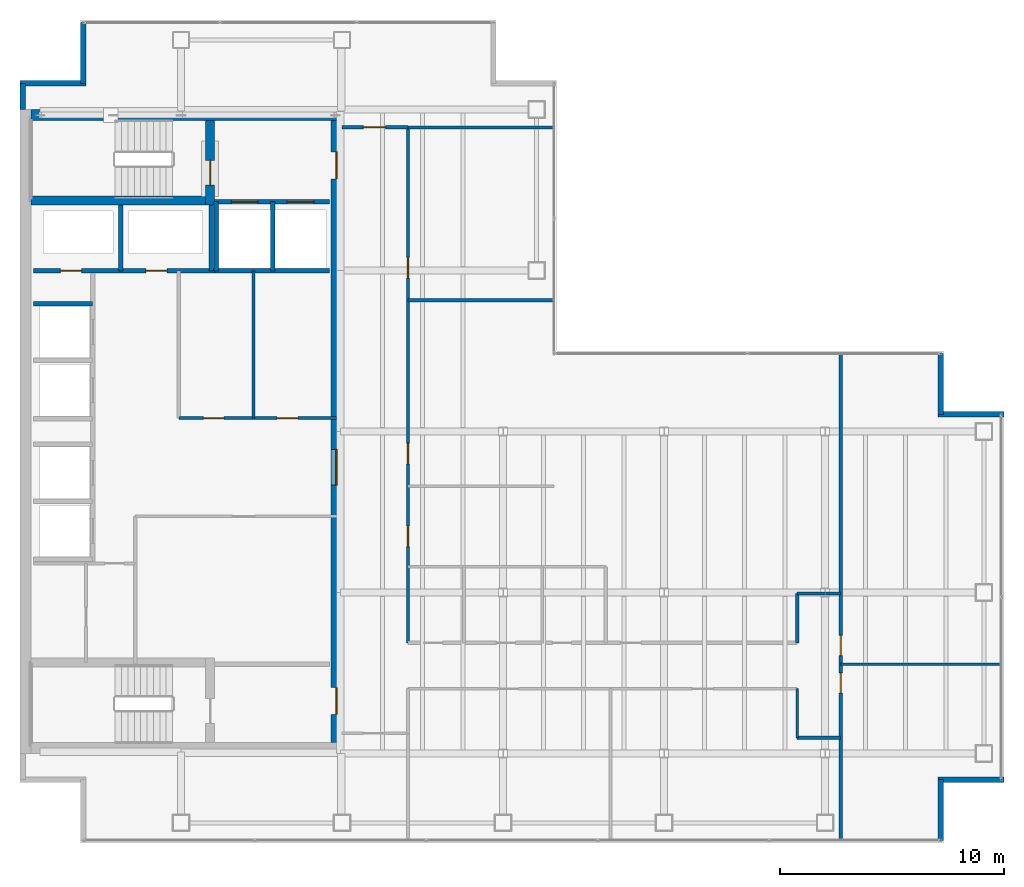
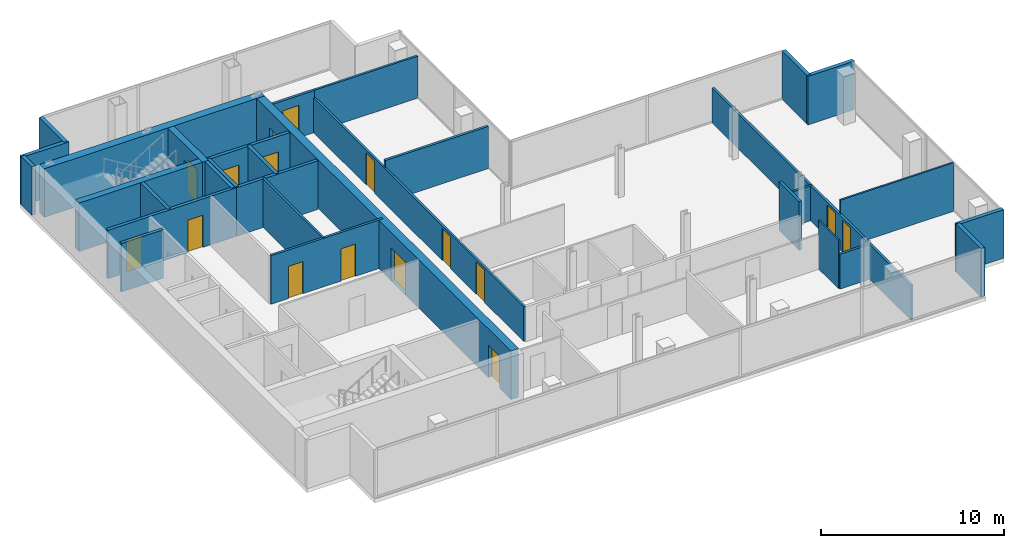
# One storey, part 21 of 23: 31 walls, 16 doors, 16 openings.
"""IFC4 building model written with IfcOpenShell, lengths in metres."""

from ifc_helpers import new_model, si_unit, direction, frame, frame_2d, origin, place, context, subcontext, project, spatial, rectangle, extrude, material, layer, layer_set, type_object, element, fill, save


model = new_model("IFC4")

# Units and contexts
model_context = context("Model", 3, precision=1e-05, world=origin(), true_north=direction((0.0, 1.0)))
body_context = subcontext(model_context, "Body", "Model", "MODEL_VIEW")
ifc_project = project(units=[si_unit("LENGTHUNIT", "METRE"), si_unit("AREAUNIT", "SQUARE_METRE"), si_unit("VOLUMEUNIT", "CUBIC_METRE"), si_unit("PLANEANGLEUNIT", "RADIAN"), si_unit("MASSUNIT", "GRAM", prefix="KILO")], contexts=[model_context])

# Site, building, storey
site_placement = place(None, origin())
site = spatial("IfcSite", under=ifc_project, at=site_placement, CompositionType="ELEMENT")
building_placement = place(site_placement, origin())
building = spatial("IfcBuilding", under=site, at=building_placement, Name="Cobrela Telecom Tower", CompositionType="ELEMENT")
storey_placement = place(building_placement, frame((0.0, 0.0, 229.25)))
storey = spatial("IfcBuildingStorey", under=building, at=storey_placement, Name="L59", CompositionType="ELEMENT", Elevation=229.25)

# Wall
ifc_material_1 = material(Name="Concrete C40/50", Category="concrete")
ifc_layer_1 = layer(ifc_material_1, 0.5)
ifc_layer_set_1 = layer_set([ifc_layer_1], Name="Concrete C40/50")
wall_type_1 = type_object("IfcWallType", Name="WALL-CORE-C40-500", PredefinedType="SHEAR", material=ifc_layer_set_1)
wall_1_placement = place(storey_placement, frame((0.5, 35.75, 0.0), z_axis=(0.0, 0.0, 1.0), x_axis=(1.0, 0.0, 0.0)))
element("IfcWall", 1, at=wall_1_placement, inside=storey, type_object=wall_type_1, Name="L59 North Core Shear Wall", PredefinedType="SHEAR", context=body_context, shape_type="SweptSolid", body=[
    extrude(rectangle(XDim=13.89990234375, YDim=0.5, at=frame_2d((6.949951171875, 0.0))), origin(), (0.0, 0.0, 1.0), 3.239990234375),
])

# Wall, openings, doors
wall_2_placement = place(storey_placement, frame((14.14990234375, 35.5, 0.0), z_axis=(0.0, 0.0, 1.0), x_axis=(0.0, -1.0, 0.0)))
wall_2 = element("IfcWall", 2, at=wall_2_placement, inside=storey, type_object=wall_type_1, Name="L59 East Core Shear Wall", PredefinedType="SHEAR", context=body_context, shape_type="SweptSolid", body=[
    extrude(rectangle(XDim=27.800048828125, YDim=0.5, at=frame_2d((13.89990234375, 0.0))), origin(), (0.0, 0.0, 1.0), 3.239990234375),
])
opening_1_placement = place(wall_2_placement, frame((1.39990234375, 0.0, 0.0)))
opening_1 = element("IfcOpeningElement", 3, at=opening_1_placement, cuts=wall_2, Name="Opening DR-19", PredefinedType="OPENING", context=body_context, shape_type="SweptSolid", body=[
    extrude(rectangle(XDim=1.199951171875, YDim=2.14990234375, at=frame_2d((0.60009765625, 1.074951171875))), frame((0.0, 0.261962890625, 0.0), z_axis=(0.0, -1.0, 0.0), x_axis=(1.0, 0.0, 0.0)), (0.0, 0.0, 1.0), 0.52392578125),
])
opening_2_placement = place(wall_2_placement, frame((25.35009765625, 0.0, 0.0)))
opening_2 = element("IfcOpeningElement", 4, at=opening_2_placement, cuts=wall_2, Name="Opening DR-19", PredefinedType="OPENING", context=body_context, shape_type="SweptSolid", body=[
    extrude(rectangle(XDim=1.199951171875, YDim=2.14990234375, at=frame_2d((0.60009765625, 1.074951171875))), frame((0.0, 0.261962890625, 0.0), z_axis=(0.0, -1.0, 0.0), x_axis=(1.0, 0.0, 0.0)), (0.0, 0.0, 1.0), 0.52392578125),
])
opening_3_placement = place(wall_2_placement, frame((14.699951171875, 0.0, 0.0)))
opening_3 = element("IfcOpeningElement", 5, at=opening_3_placement, cuts=wall_2, Name="Opening DR-51", PredefinedType="OPENING", context=body_context, shape_type="SweptSolid", body=[
    extrude(rectangle(XDim=1.60009765625, YDim=2.199951171875, at=frame_2d((0.800048828125, 1.10009765625))), frame((0.0, 0.261962890625, 0.0), z_axis=(0.0, -1.0, 0.0), x_axis=(1.0, 0.0, 0.0)), (0.0, 0.0, 1.0), 0.52392578125),
])
ifc_material_2 = material(Name="Steel ASTM A36", Category="steel")
door_type_1 = type_object("IfcDoorType", Name="DOOR-FD60-1200", OperationType="SINGLE_SWING_LEFT", PredefinedType="DOOR", material=ifc_material_2)
door_1_placement = place(opening_1_placement, origin())
door_1 = element("IfcDoor", 6, at=door_1_placement, inside=storey, type_object=door_type_1, Name="L59 Door DR-19", OperationType="SINGLE_SWING_LEFT", OverallHeight=2.14990234375, OverallWidth=1.199951171875, PredefinedType="DOOR", context=body_context, shape_type="SweptSolid", body=[
    extrude(rectangle(XDim=1.199951171875, YDim=2.14990234375, at=frame_2d((0.60009765625, 1.074951171875))), frame((0.0, 0.02490234375, 0.0), z_axis=(0.0, -1.0, 0.0), x_axis=(1.0, 0.0, 0.0)), (0.0, 0.0, 1.0), 0.050048828125),
])
fill(opening_1, door_1)
door_2_placement = place(opening_2_placement, origin())
door_2 = element("IfcDoor", 7, at=door_2_placement, inside=storey, type_object=door_type_1, Name="L59 Door DR-19", OperationType="SINGLE_SWING_RIGHT", OverallHeight=2.14990234375, OverallWidth=1.199951171875, PredefinedType="DOOR", context=body_context, shape_type="SweptSolid", body=[
    extrude(rectangle(XDim=1.199951171875, YDim=2.14990234375, at=frame_2d((0.60009765625, 1.074951171875))), frame((0.0, 0.02490234375, 0.0), z_axis=(0.0, -1.0, 0.0), x_axis=(1.0, 0.0, 0.0)), (0.0, 0.0, 1.0), 0.050048828125),
])
fill(opening_2, door_2)
door_type_2 = type_object("IfcDoorType", Name="DOOR-FD60-1600", OperationType="SINGLE_SWING_LEFT", PredefinedType="DOOR", material=ifc_material_2)
door_3_placement = place(opening_3_placement, origin())
door_3 = element("IfcDoor", 8, at=door_3_placement, inside=storey, type_object=door_type_2, Name="L59 Door DR-51", OperationType="DOUBLE_DOOR_SINGLE_SWING", OverallHeight=2.199951171875, OverallWidth=1.60009765625, PredefinedType="DOOR", context=body_context, shape_type="SweptSolid", body=[
    extrude(rectangle(XDim=1.60009765625, YDim=2.199951171875, at=frame_2d((0.800048828125, 1.10009765625))), frame((0.0, 0.02490234375, 0.0), z_axis=(0.0, -1.0, 0.0), x_axis=(1.0, 0.0, 0.0)), (0.0, 0.0, 1.0), 0.050048828125),
])
fill(opening_3, door_3)

# Walls
ifc_layer_2 = layer(ifc_material_1, 0.239990234375)
ifc_layer_set_2 = layer_set([ifc_layer_2], Name="Concrete C40/50")
wall_type_2 = type_object("IfcWallType", Name="WALL-EXT-300", PredefinedType="STANDARD", material=ifc_layer_set_2)
wall_3_placement = place(storey_placement, frame((0.1201171875, 36.0, 0.0), z_axis=(0.0, 0.0, 1.0), x_axis=(0.0, 1.0, 0.0)))
element("IfcWall", 9, at=wall_3_placement, inside=storey, type_object=wall_type_2, Name="L59 Insulated Facade Wall 04", PredefinedType="STANDARD", context=body_context, shape_type="SweptSolid", body=[
    extrude(rectangle(XDim=1.169921875, YDim=0.239990234375, at=frame_2d((0.5849609375, 0.0))), origin(), (0.0, 0.0, 1.0), 3.239990234375),
])
wall_4_placement = place(storey_placement, frame((0.0, 37.169921875, 0.0), z_axis=(0.0, 0.0, 1.0), x_axis=(1.0, 0.0, 0.0)))
element("IfcWall", 10, at=wall_4_placement, inside=storey, type_object=wall_type_2, Name="L59 Insulated Facade Wall 05", PredefinedType="STANDARD", context=body_context, shape_type="SweptSolid", body=[
    extrude(rectangle(XDim=2.949951171875, YDim=0.239990234375, at=frame_2d((1.47509765625, 0.0))), origin(), (0.0, 0.0, 1.0), 3.239990234375),
])
for number, where, z_axis, x_axis, name in (
    (11, (2.830078125, 37.169921875, 0.0), (0.0, 0.0, 1.0), (0.0, 1.0, 0.0), "L59 Insulated Facade Wall 06"),
    (12, (41.169921875, 25.080078125, 0.0), (0.0, 0.0, 1.0), (0.0, -1.0, 0.0), "L59 Insulated Facade Wall 12"),
):
    element("IfcWall", number, at=place(storey_placement, frame(where, z_axis=z_axis, x_axis=x_axis)), inside=storey, type_object=wall_type_2, Name=name, PredefinedType="STANDARD", context=body_context, shape_type="SweptSolid", body=[
        extrude(rectangle(XDim=2.7099609375, YDim=0.239990234375, at=frame_2d((1.35498046875, 0.0))), origin(), (0.0, 0.0, 1.0), 3.239990234375),
    ])
for number, where, z_axis, x_axis, name in (
    (13, (41.050048828125, 22.3701171875, 0.0), (0.0, 0.0, 1.0), (1.0, 0.0, 0.0), "L59 Insulated Facade Wall 13"),
    (14, (44.0, 6.030029296875, 0.0), (0.0, 0.0, 1.0), (-1.0, 0.0, 0.0), "L59 Insulated Facade Wall 15"),
):
    element("IfcWall", number, at=place(storey_placement, frame(where, z_axis=z_axis, x_axis=x_axis)), inside=storey, type_object=wall_type_2, Name=name, PredefinedType="STANDARD", context=body_context, shape_type="SweptSolid", body=[
        extrude(rectangle(XDim=2.949951171875, YDim=0.239990234375, at=frame_2d((1.47509765625, 0.0))), origin(), (0.0, 0.0, 1.0), 3.239990234375),
    ])
wall_5_placement = place(storey_placement, frame((41.169921875, 6.030029296875, 0.0), z_axis=(0.0, 0.0, 1.0), x_axis=(0.0, -1.0, 0.0)))
element("IfcWall", 15, at=wall_5_placement, inside=storey, type_object=wall_type_2, Name="L59 Insulated Facade Wall 16", PredefinedType="STANDARD", context=body_context, shape_type="SweptSolid", body=[
    extrude(rectangle(XDim=2.7099609375, YDim=0.239990234375, at=frame_2d((1.35498046875, 0.0))), origin(), (0.0, 0.0, 1.0), 3.239990234375),
])
ifc_material_3 = material(Name="Fire-Rated Gypsum Plasterboard")
ifc_layer_3 = layer(ifc_material_3, 0.110107421875)
ifc_layer_set_3 = layer_set([ifc_layer_3], Name="Fire-Rated Gypsum Plasterboard")
wall_type_3 = type_object("IfcWallType", Name="WALL-PART-110", PredefinedType="PARTITIONING", material=ifc_layer_set_3)
wall_6_placement = place(storey_placement, frame((34.75, 7.89990234375, 0.0), z_axis=(0.0, 0.0, 1.0), x_axis=(0.0, 1.0, 0.0)))
element("IfcWall", 16, at=wall_6_placement, inside=storey, type_object=wall_type_3, Name="L59 Interior Partition W-CT-JW1", PredefinedType="PARTITIONING", context=body_context, shape_type="SweptSolid", body=[
    extrude(rectangle(XDim=2.2001953125, YDim=0.110107421875, at=frame_2d((1.10009765625, 0.0))), origin(), (0.0, 0.0, 1.0), 3.239990234375),
])
wall_7_placement = place(storey_placement, frame((36.699951171875, 11.199951171875, 0.0), z_axis=(0.0, 0.0, 1.0), x_axis=(1.0, 0.0, 0.0)))
element("IfcWall", 17, at=wall_7_placement, inside=storey, type_object=wall_type_3, Name="L59 Interior Partition W-FE-H", PredefinedType="PARTITIONING", context=body_context, shape_type="SweptSolid", body=[
    extrude(rectangle(XDim=7.179931640625, YDim=0.110107421875, at=frame_2d((3.58984375, 0.0))), origin(), (0.0, 0.0, 1.0), 3.239990234375),
])
ifc_layer_4 = layer(ifc_material_3, 0.135009765625)
ifc_layer_set_4 = layer_set([ifc_layer_4], Name="Fire-Rated Gypsum Plasterboard")
wall_type_4 = type_object("IfcWallType", Name="WALL-PART-135", PredefinedType="PARTITIONING", material=ifc_layer_set_4)
wall_8_placement = place(storey_placement, frame((10.449951171875, 22.199951171875, 0.0), z_axis=(0.0, 0.0, 1.0), x_axis=(0.0, 1.0, 0.0)))
element("IfcWall", 18, at=wall_8_placement, inside=storey, type_object=wall_type_4, Name="L59 Interior Partition CW-RECL-V", PredefinedType="PARTITIONING", context=body_context, shape_type="SweptSolid", body=[
    extrude(rectangle(XDim=6.580078125, YDim=0.135009765625, at=frame_2d((3.2900390625, 0.0))), origin(), (0.0, 0.0, 1.0), 3.239990234375),
])

# Wall, openings, doors
wall_9_placement = place(storey_placement, frame((17.35009765625, 12.14990234375, 0.0), z_axis=(0.0, 0.0, 1.0), x_axis=(0.0, 1.0, 0.0)))
wall_9 = element("IfcWall", 19, at=wall_9_placement, inside=storey, type_object=wall_type_4, Name="L59 Interior Partition W-C-E2", PredefinedType="PARTITIONING", context=body_context, shape_type="SweptSolid", body=[
    extrude(rectangle(XDim=23.050048828125, YDim=0.135009765625, at=frame_2d((11.52490234375, 0.0))), origin(), (0.0, 0.0, 1.0), 2.324951171875),
])
opening_4_placement = place(wall_9_placement, frame((4.300048828125, 0.0, 0.0)))
opening_4 = element("IfcOpeningElement", 20, at=opening_4_placement, cuts=wall_9, Name="Opening DR-45", PredefinedType="OPENING", context=body_context, shape_type="SweptSolid", body=[
    extrude(rectangle(XDim=0.919921875, YDim=2.14990234375, at=frame_2d((0.4599609375, 1.074951171875))), frame((0.0, 0.07958984375, 0.0), z_axis=(0.0, -1.0, 0.0), x_axis=(1.0, 0.0, 0.0)), (0.0, 0.0, 1.0), 0.158935546875),
])
opening_5_placement = place(wall_9_placement, frame((8.0, 0.0, 0.0)))
opening_5 = element("IfcOpeningElement", 21, at=opening_5_placement, cuts=wall_9, Name="Opening DR-45", PredefinedType="OPENING", context=body_context, shape_type="SweptSolid", body=[
    extrude(rectangle(XDim=0.919921875, YDim=2.14990234375, at=frame_2d((0.4599609375, 1.074951171875))), frame((0.0, 0.07958984375, 0.0), z_axis=(0.0, -1.0, 0.0), x_axis=(1.0, 0.0, 0.0)), (0.0, 0.0, 1.0), 0.158935546875),
])
opening_6_placement = place(wall_9_placement, frame((16.320068359375, 0.0, 0.0)))
opening_6 = element("IfcOpeningElement", 22, at=opening_6_placement, cuts=wall_9, Name="Opening DR-45", PredefinedType="OPENING", context=body_context, shape_type="SweptSolid", body=[
    extrude(rectangle(XDim=0.919921875, YDim=2.14990234375, at=frame_2d((0.4599609375, 1.074951171875))), frame((0.0, 0.07958984375, 0.0), z_axis=(0.0, -1.0, 0.0), x_axis=(1.0, 0.0, 0.0)), (0.0, 0.0, 1.0), 0.158935546875),
])
ifc_material_4 = material(Name="Solid Engineered Oak Timber", Category="wood")
door_type_3 = type_object("IfcDoorType", Name="DOOR-INT-920", OperationType="SINGLE_SWING_LEFT", PredefinedType="DOOR", material=ifc_material_4)
door_4_placement = place(opening_4_placement, origin())
door_4 = element("IfcDoor", 23, at=door_4_placement, inside=storey, type_object=door_type_3, Name="L59 Door DR-45", OperationType="SINGLE_SWING_RIGHT", OverallHeight=2.14990234375, OverallWidth=0.919921875, PredefinedType="DOOR", context=body_context, shape_type="SweptSolid", body=[
    extrude(rectangle(XDim=0.919921875, YDim=2.14990234375, at=frame_2d((0.4599609375, 1.074951171875))), frame((0.0, 0.02490234375, 0.0), z_axis=(0.0, -1.0, 0.0), x_axis=(1.0, 0.0, 0.0)), (0.0, 0.0, 1.0), 0.050048828125),
])
fill(opening_4, door_4)
door_5_placement = place(opening_5_placement, origin())
door_5 = element("IfcDoor", 24, at=door_5_placement, inside=storey, type_object=door_type_3, Name="L59 Door DR-45", OperationType="SINGLE_SWING_LEFT", OverallHeight=2.14990234375, OverallWidth=0.919921875, PredefinedType="DOOR", context=body_context, shape_type="SweptSolid", body=[
    extrude(rectangle(XDim=0.919921875, YDim=2.14990234375, at=frame_2d((0.4599609375, 1.074951171875))), frame((0.0, 0.02490234375, 0.0), z_axis=(0.0, -1.0, 0.0), x_axis=(1.0, 0.0, 0.0)), (0.0, 0.0, 1.0), 0.050048828125),
])
fill(opening_5, door_5)
door_6_placement = place(opening_6_placement, origin())
door_6 = element("IfcDoor", 25, at=door_6_placement, inside=storey, type_object=door_type_3, Name="L59 Door DR-45", OperationType="SINGLE_SWING_RIGHT", OverallHeight=2.14990234375, OverallWidth=0.919921875, PredefinedType="DOOR", context=body_context, shape_type="SweptSolid", body=[
    extrude(rectangle(XDim=0.919921875, YDim=2.14990234375, at=frame_2d((0.4599609375, 1.074951171875))), frame((0.0, 0.02490234375, 0.0), z_axis=(0.0, -1.0, 0.0), x_axis=(1.0, 0.0, 0.0)), (0.0, 0.0, 1.0), 0.050048828125),
])
fill(opening_6, door_6)

# Walls
wall_10_placement = place(storey_placement, frame((34.75, 14.35009765625, 0.0), z_axis=(0.0, 0.0, 1.0), x_axis=(1.0, 0.0, 0.0)))
element("IfcWall", 26, at=wall_10_placement, inside=storey, type_object=wall_type_4, Name="L59 Interior Partition W-CT-N", PredefinedType="PARTITIONING", context=body_context, shape_type="SweptSolid", body=[
    extrude(rectangle(XDim=1.949951171875, YDim=0.135009765625, at=frame_2d((0.97509765625, 0.0))), origin(), (0.0, 0.0, 1.0), 2.324951171875),
])
wall_11_placement = place(storey_placement, frame((17.35009765625, 35.199951171875, 0.0), z_axis=(0.0, 0.0, 1.0), x_axis=(1.0, 0.0, 0.0)))
element("IfcWall", 27, at=wall_11_placement, inside=storey, type_object=wall_type_4, Name="L59 Interior Partition W-NW-S", PredefinedType="PARTITIONING", context=body_context, shape_type="SweptSolid", body=[
    extrude(rectangle(XDim=6.52978515625, YDim=0.135009765625, at=frame_2d((3.264892578125, 0.0))), origin(), (0.0, 0.0, 1.0), 2.80810546875),
])

# Wall, openings, doors
ifc_layer_5 = layer(ifc_material_3, 0.14990234375)
ifc_layer_set_5 = layer_set([ifc_layer_5], Name="Fire-Rated Gypsum Plasterboard")
wall_type_5 = type_object("IfcWallType", Name="WALL-PART-150", PredefinedType="PARTITIONING", material=ifc_layer_set_5)
wall_12_placement = place(storey_placement, frame((7.10009765625, 22.199951171875, 0.0), z_axis=(0.0, 0.0, 1.0), x_axis=(1.0, 0.0, 0.0)))
wall_12 = element("IfcWall", 28, at=wall_12_placement, inside=storey, type_object=wall_type_5, Name="L59 Interior Partition CW-RECL-S", PredefinedType="PARTITIONING", context=body_context, shape_type="SweptSolid", body=[
    extrude(rectangle(XDim=7.0498046875, YDim=0.14990234375, at=frame_2d((3.52490234375, 0.0))), origin(), (0.0, 0.0, 1.0), 3.239990234375),
])
opening_7_placement = place(wall_12_placement, frame((1.10009765625, 0.0, 0.0)))
opening_7 = element("IfcOpeningElement", 29, at=opening_7_placement, cuts=wall_12, Name="Opening DR-45", PredefinedType="OPENING", context=body_context, shape_type="SweptSolid", body=[
    extrude(rectangle(XDim=0.919921875, YDim=2.14990234375, at=frame_2d((0.4599609375, 1.074951171875))), frame((0.0, 0.0869140625, 0.0), z_axis=(0.0, -1.0, 0.0), x_axis=(1.0, 0.0, 0.0)), (0.0, 0.0, 1.0), 0.173828125),
])
opening_8_placement = place(wall_12_placement, frame((4.39990234375, 0.0, 0.0)))
opening_8 = element("IfcOpeningElement", 30, at=opening_8_placement, cuts=wall_12, Name="Opening DR-45", PredefinedType="OPENING", context=body_context, shape_type="SweptSolid", body=[
    extrude(rectangle(XDim=0.919921875, YDim=2.14990234375, at=frame_2d((0.4599609375, 1.074951171875))), frame((0.0, 0.0869140625, 0.0), z_axis=(0.0, -1.0, 0.0), x_axis=(1.0, 0.0, 0.0)), (0.0, 0.0, 1.0), 0.173828125),
])
door_7_placement = place(opening_7_placement, origin())
door_7 = element("IfcDoor", 31, at=door_7_placement, inside=storey, type_object=door_type_3, Name="L59 Door DR-45", OperationType="SINGLE_SWING_LEFT", OverallHeight=2.14990234375, OverallWidth=0.919921875, PredefinedType="DOOR", context=body_context, shape_type="SweptSolid", body=[
    extrude(rectangle(XDim=0.919921875, YDim=2.14990234375, at=frame_2d((0.4599609375, 1.074951171875))), frame((0.0, 0.02490234375, 0.0), z_axis=(0.0, -1.0, 0.0), x_axis=(1.0, 0.0, 0.0)), (0.0, 0.0, 1.0), 0.050048828125),
])
fill(opening_7, door_7)
door_8_placement = place(opening_8_placement, origin())
door_8 = element("IfcDoor", 32, at=door_8_placement, inside=storey, type_object=door_type_3, Name="L59 Door DR-45", OperationType="SINGLE_SWING_RIGHT", OverallHeight=2.14990234375, OverallWidth=0.919921875, PredefinedType="DOOR", context=body_context, shape_type="SweptSolid", body=[
    extrude(rectangle(XDim=0.919921875, YDim=2.14990234375, at=frame_2d((0.4599609375, 1.074951171875))), frame((0.0, 0.02490234375, 0.0), z_axis=(0.0, -1.0, 0.0), x_axis=(1.0, 0.0, 0.0)), (0.0, 0.0, 1.0), 0.050048828125),
])
fill(opening_8, door_8)

# Wall
wall_13_placement = place(storey_placement, frame((34.75, 7.89990234375, 0.0), z_axis=(0.0, 0.0, 1.0), x_axis=(1.0, 0.0, 0.0)))
element("IfcWall", 33, at=wall_13_placement, inside=storey, type_object=wall_type_5, Name="L59 Interior Partition W-CT-S", PredefinedType="PARTITIONING", context=body_context, shape_type="SweptSolid", body=[
    extrude(rectangle(XDim=1.949951171875, YDim=0.14990234375, at=frame_2d((0.97509765625, 0.0))), origin(), (0.0, 0.0, 1.0), 2.324951171875),
])

# Wall, openings, doors
wall_14_placement = place(storey_placement, frame((36.699951171875, 3.320068359375, 0.0), z_axis=(0.0, 0.0, 1.0), x_axis=(0.0, 1.0, 0.0)))
wall_14 = element("IfcWall", 34, at=wall_14_placement, inside=storey, type_object=wall_type_5, Name="L59 Interior Partition W-C-END", PredefinedType="PARTITIONING", context=body_context, shape_type="SweptSolid", body=[
    extrude(rectangle(XDim=21.760009765625, YDim=0.14990234375, at=frame_2d((10.8798828125, 0.0))), origin(), (0.0, 0.0, 1.0), 2.324951171875),
])
opening_9_placement = place(wall_14_placement, frame((6.590087890625, 0.0, 0.0)))
opening_9 = element("IfcOpeningElement", 35, at=opening_9_placement, cuts=wall_14, Name="Opening DR-41", PredefinedType="OPENING", context=body_context, shape_type="SweptSolid", body=[
    extrude(rectangle(XDim=0.89990234375, YDim=2.14990234375, at=frame_2d((0.449951171875, 1.074951171875))), frame((0.0, 0.0869140625, 0.0), z_axis=(0.0, -1.0, 0.0), x_axis=(1.0, 0.0, 0.0)), (0.0, 0.0, 1.0), 0.173828125),
])
opening_10_placement = place(wall_14_placement, frame((8.260009765625, 0.0, 0.0)))
opening_10 = element("IfcOpeningElement", 36, at=opening_10_placement, cuts=wall_14, Name="Opening DR-41", PredefinedType="OPENING", context=body_context, shape_type="SweptSolid", body=[
    extrude(rectangle(XDim=0.89990234375, YDim=2.14990234375, at=frame_2d((0.449951171875, 1.074951171875))), frame((0.0, 0.0869140625, 0.0), z_axis=(0.0, -1.0, 0.0), x_axis=(1.0, 0.0, 0.0)), (0.0, 0.0, 1.0), 0.173828125),
])
door_type_4 = type_object("IfcDoorType", Name="DOOR-INT-900", OperationType="SINGLE_SWING_LEFT", PredefinedType="DOOR", material=ifc_material_4)
door_9_placement = place(opening_9_placement, origin())
door_9 = element("IfcDoor", 37, at=door_9_placement, inside=storey, type_object=door_type_4, Name="L59 Door DR-41", OperationType="SINGLE_SWING_LEFT", OverallHeight=2.14990234375, OverallWidth=0.89990234375, PredefinedType="DOOR", context=body_context, shape_type="SweptSolid", body=[
    extrude(rectangle(XDim=0.89990234375, YDim=2.14990234375, at=frame_2d((0.449951171875, 1.074951171875))), frame((0.0, 0.02490234375, 0.0), z_axis=(0.0, -1.0, 0.0), x_axis=(1.0, 0.0, 0.0)), (0.0, 0.0, 1.0), 0.050048828125),
])
fill(opening_9, door_9)
door_10_placement = place(opening_10_placement, origin())
door_10 = element("IfcDoor", 38, at=door_10_placement, inside=storey, type_object=door_type_4, Name="L59 Door DR-41", OperationType="SINGLE_SWING_RIGHT", OverallHeight=2.14990234375, OverallWidth=0.89990234375, PredefinedType="DOOR", context=body_context, shape_type="SweptSolid", body=[
    extrude(rectangle(XDim=0.89990234375, YDim=2.14990234375, at=frame_2d((0.449951171875, 1.074951171875))), frame((0.0, 0.02490234375, 0.0), z_axis=(0.0, -1.0, 0.0), x_axis=(1.0, 0.0, 0.0)), (0.0, 0.0, 1.0), 0.050048828125),
])
fill(opening_10, door_10)

# Wall, opening, door
ifc_layer_6 = layer(ifc_material_3, 0.159912109375)
ifc_layer_set_6 = layer_set([ifc_layer_6], Name="Fire-Rated Gypsum Plasterboard")
wall_type_6 = type_object("IfcWallType", Name="WALL-PART-160", PredefinedType="PARTITIONING", material=ifc_layer_set_6)
wall_15_placement = place(storey_placement, frame((14.39990234375, 35.199951171875, 0.0), z_axis=(0.0, 0.0, 1.0), x_axis=(1.0, 0.0, 0.0)))
wall_15 = element("IfcWall", 39, at=wall_15_placement, inside=storey, type_object=wall_type_6, Name="L59 Interior Partition W-C-N0", PredefinedType="PARTITIONING", context=body_context, shape_type="SweptSolid", body=[
    extrude(rectangle(XDim=2.9501953125, YDim=0.159912109375, at=frame_2d((1.47509765625, 0.0))), origin(), (0.0, 0.0, 1.0), 2.80810546875),
])
opening_11_placement = place(wall_15_placement, frame((0.949951171875, 0.0, 0.0)))
opening_11 = element("IfcOpeningElement", 40, at=opening_11_placement, cuts=wall_15, Name="Opening DR-31", PredefinedType="OPENING", context=body_context, shape_type="SweptSolid", body=[
    extrude(rectangle(XDim=1.0, YDim=2.14990234375, at=frame_2d((0.5, 1.074951171875))), frame((0.0, 0.091796875, 0.0), z_axis=(0.0, -1.0, 0.0), x_axis=(1.0, 0.0, 0.0)), (0.0, 0.0, 1.0), 0.183837890625),
])
door_type_5 = type_object("IfcDoorType", Name="DOOR-INT-1000", OperationType="SINGLE_SWING_LEFT", PredefinedType="DOOR", material=ifc_material_4)
door_11_placement = place(opening_11_placement, origin())
door_11 = element("IfcDoor", 41, at=door_11_placement, inside=storey, type_object=door_type_5, Name="L59 Door DR-31", OperationType="SINGLE_SWING_LEFT", OverallHeight=2.14990234375, OverallWidth=1.0, PredefinedType="DOOR", context=body_context, shape_type="SweptSolid", body=[
    extrude(rectangle(XDim=1.0, YDim=2.14990234375, at=frame_2d((0.5, 1.074951171875))), frame((0.0, 0.02490234375, 0.0), z_axis=(0.0, -1.0, 0.0), x_axis=(1.0, 0.0, 0.0)), (0.0, 0.0, 1.0), 0.050048828125),
])
fill(opening_11, door_11)

# Walls
wall_16_placement = place(storey_placement, frame((34.75, 12.14990234375, 0.0), z_axis=(0.0, 0.0, 1.0), x_axis=(0.0, 1.0, 0.0)))
element("IfcWall", 42, at=wall_16_placement, inside=storey, type_object=wall_type_6, Name="L59 Interior Partition W-CT-JW2", PredefinedType="PARTITIONING", context=body_context, shape_type="SweptSolid", body=[
    extrude(rectangle(XDim=2.2001953125, YDim=0.159912109375, at=frame_2d((1.10009765625, 0.0))), origin(), (0.0, 0.0, 1.0), 3.239990234375),
])
wall_17_placement = place(storey_placement, frame((17.35009765625, 27.469970703125, 0.0), z_axis=(0.0, 0.0, 1.0), x_axis=(1.0, 0.0, 0.0)))
element("IfcWall", 43, at=wall_17_placement, inside=storey, type_object=wall_type_6, Name="L59 Interior Partition W-NT-M", PredefinedType="PARTITIONING", context=body_context, shape_type="SweptSolid", body=[
    extrude(rectangle(XDim=6.52978515625, YDim=0.159912109375, at=frame_2d((3.264892578125, 0.0))), origin(), (0.0, 0.0, 1.0), 2.80810546875),
])

# Wall, openings, doors
ifc_layer_7 = layer(ifc_material_3, 0.199951171875)
ifc_layer_set_7 = layer_set([ifc_layer_7], Name="Fire-Rated Gypsum Plasterboard")
wall_type_7 = type_object("IfcWallType", Name="WALL-SHAFT-200", PredefinedType="PARTITIONING", material=ifc_layer_set_7)
wall_18_placement = place(storey_placement, frame((8.699951171875, 31.8798828125, 0.0), z_axis=(0.0, 0.0, 1.0), x_axis=(1.0, 0.0, 0.0)))
wall_18 = element("IfcWall", 44, at=wall_18_placement, inside=storey, type_object=wall_type_7, Name="L59 Shaft Enclosure CW-FFL-S", PredefinedType="PARTITIONING", context=body_context, shape_type="SweptSolid", body=[
    extrude(rectangle(XDim=5.150146484375, YDim=0.199951171875, at=frame_2d((2.5751953125, 0.0))), origin(), (0.0, 0.0, 1.0), 3.239990234375),
])
opening_12_placement = place(wall_18_placement, frame((0.75, 0.0, 0.0)))
opening_12 = element("IfcOpeningElement", 45, at=opening_12_placement, cuts=wall_18, Name="Opening LD-2", PredefinedType="OPENING", context=body_context, shape_type="SweptSolid", body=[
    extrude(rectangle(XDim=1.199951171875, YDim=2.199951171875, at=frame_2d((0.60009765625, 1.10009765625))), frame((0.0, 0.11181640625, 0.0), z_axis=(0.0, -1.0, 0.0), x_axis=(1.0, 0.0, 0.0)), (0.0, 0.0, 1.0), 0.223876953125),
])
opening_13_placement = place(wall_18_placement, frame((3.25, 0.0, 0.0)))
opening_13 = element("IfcOpeningElement", 46, at=opening_13_placement, cuts=wall_18, Name="Opening LD-2", PredefinedType="OPENING", context=body_context, shape_type="SweptSolid", body=[
    extrude(rectangle(XDim=1.199951171875, YDim=2.199951171875, at=frame_2d((0.60009765625, 1.10009765625))), frame((0.0, 0.11181640625, 0.0), z_axis=(0.0, -1.0, 0.0), x_axis=(1.0, 0.0, 0.0)), (0.0, 0.0, 1.0), 0.223876953125),
])
door_type_6 = type_object("IfcDoorType", Name="DOOR-LD-FFL", OperationType="SINGLE_SWING_LEFT", PredefinedType="DOOR", material=ifc_material_2)
door_12_placement = place(opening_12_placement, origin())
door_12 = element("IfcDoor", 47, at=door_12_placement, inside=storey, type_object=door_type_6, Name="L59 Lift Landing Door LD-2", OperationType="DOUBLE_DOOR_SLIDING", OverallHeight=2.199951171875, OverallWidth=1.199951171875, PredefinedType="DOOR", context=body_context, shape_type="SweptSolid", body=[
    extrude(rectangle(XDim=1.199951171875, YDim=2.199951171875, at=frame_2d((0.60009765625, 1.10009765625))), frame((0.0, 0.02490234375, 0.0), z_axis=(0.0, -1.0, 0.0), x_axis=(1.0, 0.0, 0.0)), (0.0, 0.0, 1.0), 0.050048828125),
])
fill(opening_12, door_12)
door_13_placement = place(opening_13_placement, origin())
door_13 = element("IfcDoor", 48, at=door_13_placement, inside=storey, type_object=door_type_6, Name="L59 Lift Landing Door LD-2", OperationType="DOUBLE_DOOR_SLIDING", OverallHeight=2.199951171875, OverallWidth=1.199951171875, PredefinedType="DOOR", context=body_context, shape_type="SweptSolid", body=[
    extrude(rectangle(XDim=1.199951171875, YDim=2.199951171875, at=frame_2d((0.60009765625, 1.10009765625))), frame((0.0, 0.02490234375, 0.0), z_axis=(0.0, -1.0, 0.0), x_axis=(1.0, 0.0, 0.0)), (0.0, 0.0, 1.0), 0.050048828125),
])
fill(opening_13, door_13)

# Walls
wall_19_placement = place(storey_placement, frame((8.699951171875, 28.780029296875, 0.0), z_axis=(0.0, 0.0, 1.0), x_axis=(1.0, 0.0, 0.0)))
element("IfcWall", 49, at=wall_19_placement, inside=storey, type_object=wall_type_7, Name="L59 Shaft Enclosure CW-FFL-S2", PredefinedType="PARTITIONING", context=body_context, shape_type="SweptSolid", body=[
    extrude(rectangle(XDim=5.150146484375, YDim=0.199951171875, at=frame_2d((2.5751953125, 0.0))), origin(), (0.0, 0.0, 1.0), 3.239990234375),
])
for number, where, z_axis, x_axis, name in (
    (50, (8.780029296875, 28.780029296875, 0.0), (0.0, 0.0, 1.0), (0.0, 1.0, 0.0), "L59 Shaft Enclosure CW-FFL-W"),
    (51, (11.300048828125, 28.780029296875, 0.0), (0.0, 0.0, 1.0), (0.0, 1.0, 0.0), "L59 Shaft Enclosure CW-FFL-M"),
):
    element("IfcWall", number, at=place(storey_placement, frame(where, z_axis=z_axis, x_axis=x_axis)), inside=storey, type_object=wall_type_7, Name=name, PredefinedType="PARTITIONING", context=body_context, shape_type="SweptSolid", body=[
        extrude(rectangle(XDim=3.099853515625, YDim=0.199951171875, at=frame_2d((1.5498046875, 0.0))), origin(), (0.0, 0.0, 1.0), 3.239990234375),
    ])

# Wall, openings, doors
wall_20_placement = place(storey_placement, frame((0.60009765625, 28.780029296875, 0.0), z_axis=(0.0, 0.0, 1.0), x_axis=(1.0, 0.0, 0.0)))
wall_20 = element("IfcWall", 52, at=wall_20_placement, inside=storey, type_object=wall_type_7, Name="L59 Shaft Enclosure CW-RIS-S", PredefinedType="PARTITIONING", context=body_context, shape_type="SweptSolid", body=[
    extrude(rectangle(XDim=8.179931640625, YDim=0.199951171875, at=frame_2d((4.08984375, 0.0))), origin(), (0.0, 0.0, 1.0), 3.239990234375),
])
opening_14_placement = place(wall_20_placement, frame((1.2099609375, 0.0, 0.0)))
opening_14 = element("IfcOpeningElement", 53, at=opening_14_placement, cuts=wall_20, Name="Opening DR-65", PredefinedType="OPENING", context=body_context, shape_type="SweptSolid", body=[
    extrude(rectangle(XDim=0.949951171875, YDim=2.14990234375, at=frame_2d((0.47509765625, 1.074951171875))), frame((0.0, 0.11181640625, 0.0), z_axis=(0.0, -1.0, 0.0), x_axis=(1.0, 0.0, 0.0)), (0.0, 0.0, 1.0), 0.223876953125),
])
opening_15_placement = place(wall_20_placement, frame((5.030029296875, 0.0, 0.0)))
opening_15 = element("IfcOpeningElement", 54, at=opening_15_placement, cuts=wall_20, Name="Opening DR-65", PredefinedType="OPENING", context=body_context, shape_type="SweptSolid", body=[
    extrude(rectangle(XDim=0.949951171875, YDim=2.14990234375, at=frame_2d((0.47509765625, 1.074951171875))), frame((0.0, 0.11181640625, 0.0), z_axis=(0.0, -1.0, 0.0), x_axis=(1.0, 0.0, 0.0)), (0.0, 0.0, 1.0), 0.223876953125),
])
door_type_7 = type_object("IfcDoorType", Name="DOOR-FD60-950", OperationType="SINGLE_SWING_LEFT", PredefinedType="DOOR", material=ifc_material_2)
door_14_placement = place(opening_14_placement, origin())
door_14 = element("IfcDoor", 55, at=door_14_placement, inside=storey, type_object=door_type_7, Name="L59 Door DR-65", OperationType="SINGLE_SWING_LEFT", OverallHeight=2.14990234375, OverallWidth=0.949951171875, PredefinedType="DOOR", context=body_context, shape_type="SweptSolid", body=[
    extrude(rectangle(XDim=0.949951171875, YDim=2.14990234375, at=frame_2d((0.47509765625, 1.074951171875))), frame((0.0, 0.02490234375, 0.0), z_axis=(0.0, -1.0, 0.0), x_axis=(1.0, 0.0, 0.0)), (0.0, 0.0, 1.0), 0.050048828125),
])
fill(opening_14, door_14)
door_15_placement = place(opening_15_placement, origin())
door_15 = element("IfcDoor", 56, at=door_15_placement, inside=storey, type_object=door_type_7, Name="L59 Door DR-65", OperationType="SINGLE_SWING_RIGHT", OverallHeight=2.14990234375, OverallWidth=0.949951171875, PredefinedType="DOOR", context=body_context, shape_type="SweptSolid", body=[
    extrude(rectangle(XDim=0.949951171875, YDim=2.14990234375, at=frame_2d((0.47509765625, 1.074951171875))), frame((0.0, 0.02490234375, 0.0), z_axis=(0.0, -1.0, 0.0), x_axis=(1.0, 0.0, 0.0)), (0.0, 0.0, 1.0), 0.050048828125),
])
fill(opening_15, door_15)

# Walls
for number, where, z_axis, x_axis, name in (
    (57, (4.5, 28.780029296875, 0.0), (0.0, 0.0, 1.0), (0.0, 1.0, 0.0), "L59 Shaft Enclosure CW-RIS-M"),
    (58, (8.550048828125, 28.780029296875, 0.0), (0.0, 0.0, 1.0), (0.0, 1.0, 0.0), "L59 Shaft Enclosure CW-RIS-E"),
):
    element("IfcWall", number, at=place(storey_placement, frame(where, z_axis=z_axis, x_axis=x_axis)), inside=storey, type_object=wall_type_7, Name=name, PredefinedType="PARTITIONING", context=body_context, shape_type="SweptSolid", body=[
        extrude(rectangle(XDim=2.93994140625, YDim=0.199951171875, at=frame_2d((1.469970703125, 0.0))), origin(), (0.0, 0.0, 1.0), 3.239990234375),
    ])
wall_21_placement = place(storey_placement, frame((0.60009765625, 27.320068359375, 0.0), z_axis=(0.0, 0.0, 1.0), x_axis=(1.0, 0.0, 0.0)))
element("IfcWall", 59, at=wall_21_placement, inside=storey, type_object=wall_type_7, Name="L59 Shaft Enclosure CW-PLH-TOP", PredefinedType="PARTITIONING", context=body_context, shape_type="SweptSolid", body=[
    extrude(rectangle(XDim=2.64990234375, YDim=0.199951171875, at=frame_2d((1.324951171875, 0.0))), origin(), (0.0, 0.0, 1.0), 3.239990234375),
])
ifc_layer_8 = layer(ifc_material_1, 0.39990234375)
ifc_layer_set_8 = layer_set([ifc_layer_8], Name="Concrete C40/50")
wall_type_8 = type_object("IfcWallType", Name="WALL-SHAFT-C40-400", PredefinedType="SHEAR", material=ifc_layer_set_8)
wall_22_placement = place(storey_placement, frame((0.5, 31.919921875, 0.0), z_axis=(0.0, 0.0, 1.0), x_axis=(1.0, 0.0, 0.0)))
element("IfcWall", 60, at=wall_22_placement, inside=storey, type_object=wall_type_8, Name="L59 North Stair Shear Wall", PredefinedType="SHEAR", context=body_context, shape_type="SweptSolid", body=[
    extrude(rectangle(XDim=7.800048828125, YDim=0.39990234375, at=frame_2d((3.89990234375, 0.0))), origin(), (0.0, 0.0, 1.0), 3.239990234375),
])

# Wall, opening, door
wall_23_placement = place(storey_placement, frame((8.5, 31.719970703125, 0.0), z_axis=(0.0, 0.0, 1.0), x_axis=(0.0, 1.0, 0.0)))
wall_23 = element("IfcWall", 61, at=wall_23_placement, inside=storey, type_object=wall_type_8, Name="L59 North Stair Lobby Shear Wall", PredefinedType="SHEAR", context=body_context, shape_type="SweptSolid", body=[
    extrude(rectangle(XDim=3.780029296875, YDim=0.39990234375, at=frame_2d((1.89013671875, 0.0))), origin(), (0.0, 0.0, 1.0), 3.239990234375),
])
opening_16_placement = place(wall_23_placement, frame((0.89990234375, 0.0, 0.0)))
opening_16 = element("IfcOpeningElement", 62, at=opening_16_placement, cuts=wall_23, Name="Opening DR-59", PredefinedType="OPENING", context=body_context, shape_type="SweptSolid", body=[
    extrude(rectangle(XDim=1.10009765625, YDim=2.14990234375, at=frame_2d((0.550048828125, 1.074951171875))), frame((0.0, 0.2119140625, 0.0), z_axis=(0.0, -1.0, 0.0), x_axis=(1.0, 0.0, 0.0)), (0.0, 0.0, 1.0), 0.423828125),
])
door_type_8 = type_object("IfcDoorType", Name="DOOR-FD60-1100", OperationType="SINGLE_SWING_LEFT", PredefinedType="DOOR", material=ifc_material_2)
door_16_placement = place(opening_16_placement, origin())
door_16 = element("IfcDoor", 63, at=door_16_placement, inside=storey, type_object=door_type_8, Name="L59 Door DR-59", OperationType="SINGLE_SWING_RIGHT", OverallHeight=2.14990234375, OverallWidth=1.10009765625, PredefinedType="DOOR", context=body_context, shape_type="SweptSolid", body=[
    extrude(rectangle(XDim=1.10009765625, YDim=2.14990234375, at=frame_2d((0.550048828125, 1.074951171875))), frame((0.0, 0.02490234375, 0.0), z_axis=(0.0, -1.0, 0.0), x_axis=(1.0, 0.0, 0.0)), (0.0, 0.0, 1.0), 0.050048828125),
])
fill(opening_16, door_16)

save(model, "model.ifc")
